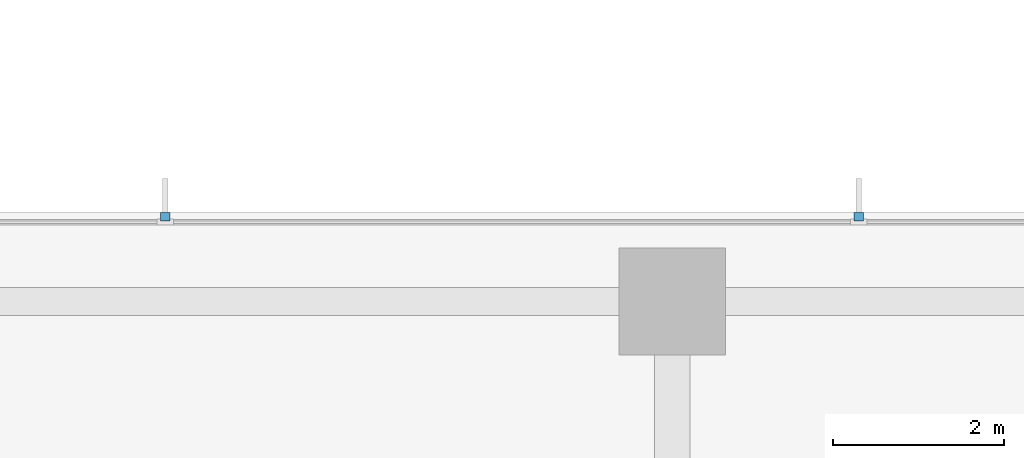
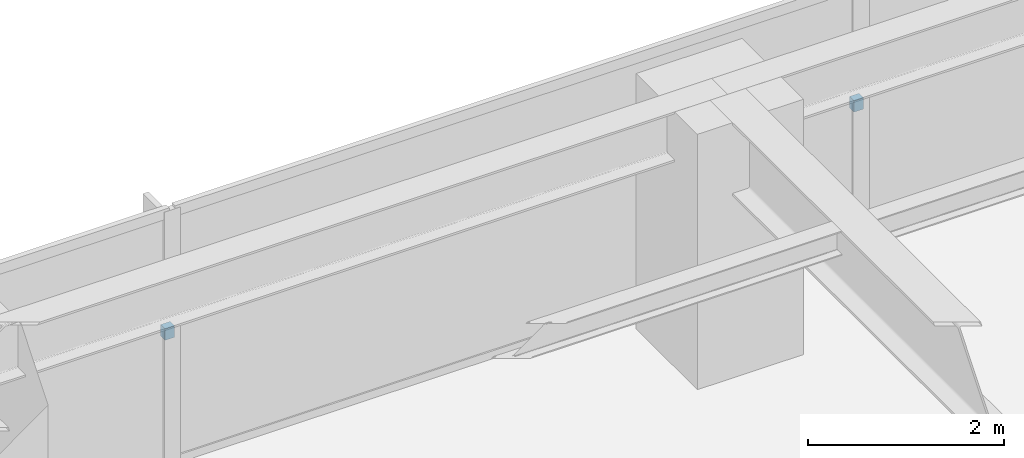
# One storey, part 14 of 16: 2 discrete accessories.
"""IFC4 building model written with IfcOpenShell, lengths in metres."""

from ifc_helpers import new_model, si_unit, direction, frame, origin, place, context, subcontext, project, spatial, polyline, outline, extrude, material, type_object, element, save


model = new_model("IFC4")

# Units and contexts
model_context = context("Model", 3, precision=1e-05, world=origin(), true_north=direction((0.0, 1.0)))
body_context = subcontext(model_context, "Body", "Model", "MODEL_VIEW")
ifc_project = project(units=[si_unit("LENGTHUNIT", "METRE"), si_unit("AREAUNIT", "SQUARE_METRE"), si_unit("VOLUMEUNIT", "CUBIC_METRE"), si_unit("PLANEANGLEUNIT", "RADIAN"), si_unit("MASSUNIT", "GRAM", prefix="KILO")], contexts=[model_context])

# Site, building, storey
site_placement = place(None, origin())
site = spatial("IfcSite", under=ifc_project, at=site_placement, CompositionType="ELEMENT")
building_placement = place(site_placement, origin())
building = spatial("IfcBuilding", under=site, at=building_placement, Name="Qalmaran Belvedere Hotel", CompositionType="ELEMENT")
storey_placement = place(building_placement, frame((0.0, 0.0, 126.699951171875)))
storey = spatial("IfcBuildingStorey", under=building, at=storey_placement, Name="L32", CompositionType="ELEMENT", Elevation=126.699951171875)

# Discrete accessories
ifc_material = material(Name="Stainless Steel 1.4401", Category="steel")
discrete_accessory_type = type_object("IfcDiscreteAccessoryType", Name="BRK-FIN-SS316", PredefinedType="BRACKET", material=ifc_material)
discrete_accessory_1_placement = place(storey_placement, frame((0.0, 0.0, 1.5400390625)))
element("IfcDiscreteAccessory", 1, at=discrete_accessory_1_placement, inside=storey, type_object=discrete_accessory_type, Name="L32 Fin Bracket 1", PredefinedType="BRACKET", context=body_context, shape_type="SweptSolid", body=[
    extrude(outline(polyline([(31.438232421875, 46.39501953125), (31.438232421875, 46.489990234375), (31.328369140625, 46.489990234375), (31.328369140625, 46.39501953125), (31.438232421875, 46.39501953125)])), origin(), (0.0, 0.0, 1.0), 0.139892578125),
])
discrete_accessory_2_placement = place(storey_placement, frame((0.0, 0.0, 1.5400390625)))
element("IfcDiscreteAccessory", 2, at=discrete_accessory_2_placement, inside=storey, type_object=discrete_accessory_type, Name="L32 Fin Bracket 2", PredefinedType="BRACKET", context=body_context, shape_type="SweptSolid", body=[
    extrude(outline(polyline([(23.32177734375, 46.39501953125), (23.32177734375, 46.489990234375), (23.211669921875, 46.489990234375), (23.211669921875, 46.39501953125), (23.32177734375, 46.39501953125)])), origin(), (0.0, 0.0, 1.0), 0.139892578125),
])

save(model, "model.ifc")
